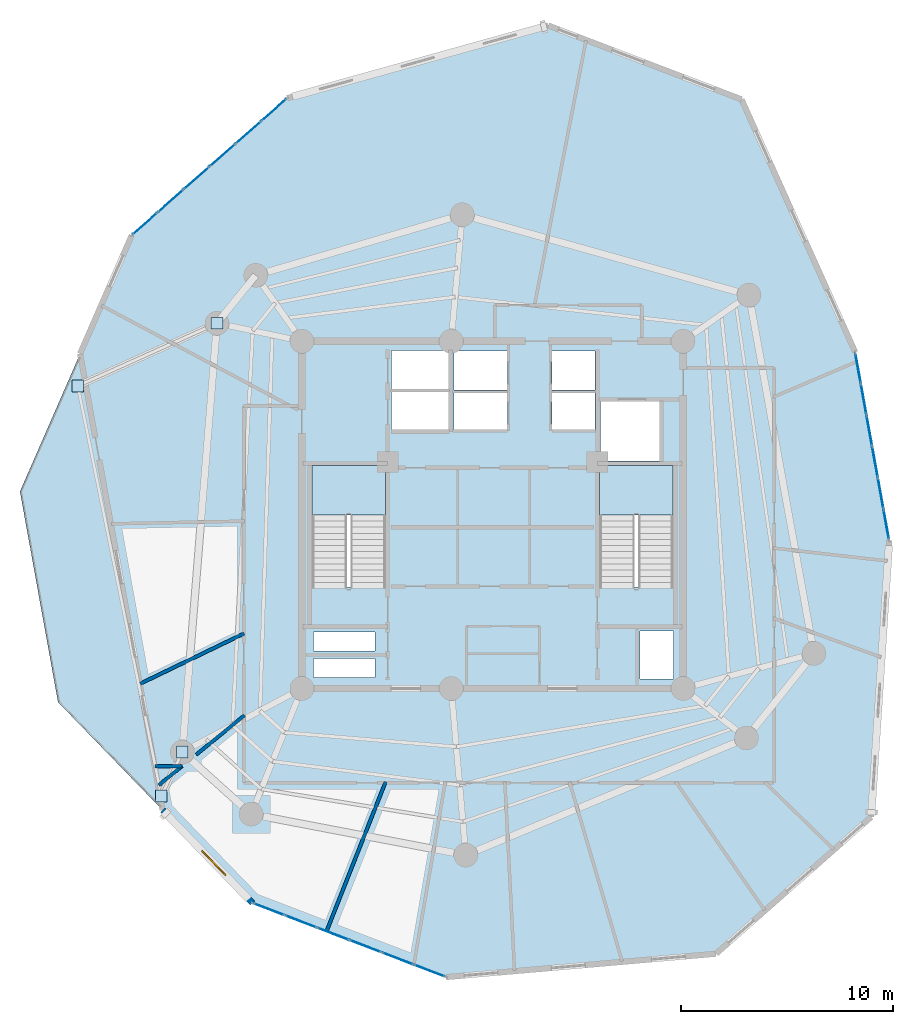
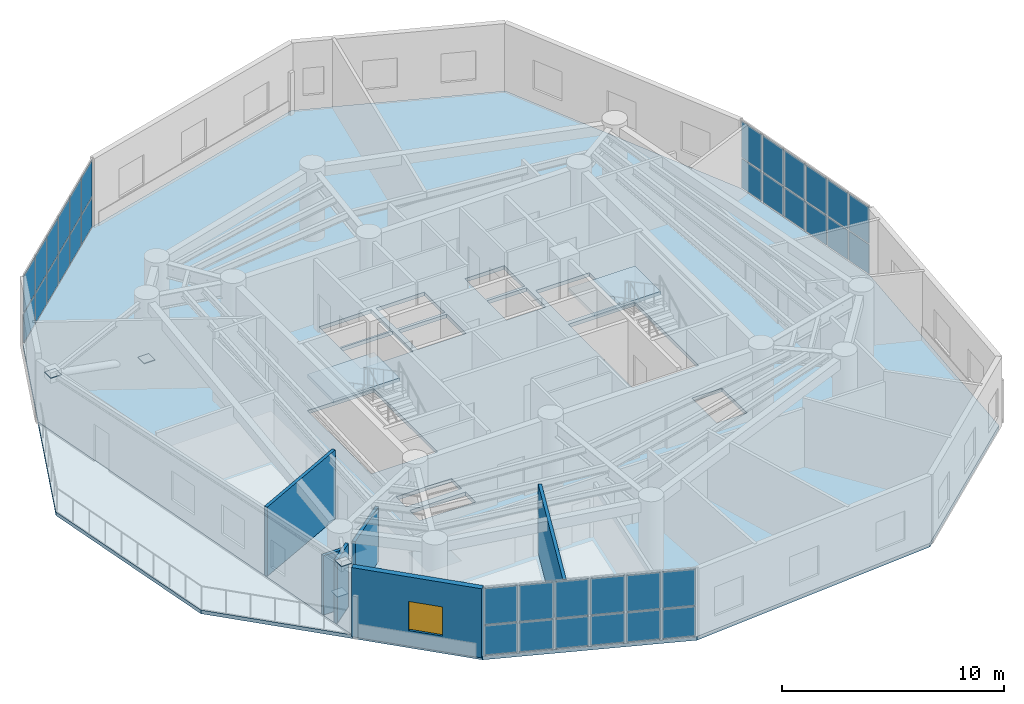
# One storey, part 5 of 12: 40 plates, 6 walls, 4 slabs, 1 window, 1 opening, 5 elements without a shape of their own.
"""IFC4 building model written with IfcOpenShell, lengths in metres."""

from ifc_helpers import new_model, si_unit, direction, frame, frame_2d, origin, origin_with_axes, origin_2d, place, context, subcontext, project, spatial, polyline, rectangle, outline, extrude, source, transform, mapped, material, layer, layer_set, type_object, element, fill, aggregate, save


model = new_model("IFC4")

# Units and contexts
model_context = context("Model", 3, precision=1e-05, world=origin(), true_north=direction((0.0, 1.0)))
body_context = subcontext(model_context, "Body", "Model", "MODEL_VIEW")
ifc_project = project(units=[si_unit("LENGTHUNIT", "METRE"), si_unit("AREAUNIT", "SQUARE_METRE"), si_unit("VOLUMEUNIT", "CUBIC_METRE"), si_unit("PLANEANGLEUNIT", "RADIAN"), si_unit("MASSUNIT", "GRAM", prefix="KILO")], contexts=[model_context])

# Site, building, storey
site_placement = place(None, origin())
site = spatial("IfcSite", under=ifc_project, at=site_placement, CompositionType="ELEMENT")
building_placement = place(site_placement, origin())
building = spatial("IfcBuilding", under=site, at=building_placement, Name="Karkom Vertical University and Central Library", CompositionType="ELEMENT")
storey_placement = place(building_placement, frame((0.0, 0.0, 212.89990234375)))
storey = spatial("IfcBuildingStorey", under=building, at=storey_placement, Name="L62", CompositionType="ELEMENT", Elevation=212.89990234375)

# Stair, slab
ifc_material_1 = material(Name="Concrete C45/55", Category="concrete")
stair_type = type_object("IfcStairType", Name="INT-STR-ST-MAIN", PredefinedType="HALF_TURN_STAIR", material=ifc_material_1)
stair_1_placement = place(storey_placement, origin())
stair_1 = element("IfcStair", 1, at=stair_1_placement, inside=storey, type_object=stair_type, Name="Level 62 Tower Protected Exit Stair ST-1", PredefinedType="HALF_TURN_STAIR")
ifc_layer_1 = layer(ifc_material_1, 0.199951171875)
ifc_layer_set_1 = layer_set([ifc_layer_1], Name="Concrete C45/55")
slab_type_1 = type_object("IfcSlabType", Name="INT-SLB-LANDING", PredefinedType="LANDING", material=ifc_layer_set_1)
slab_1_placement = place(storey_placement, frame((0.0, 0.0, 1.800048828125)))
slab_1 = element("IfcSlab", 2, at=slab_1_placement, type_object=slab_type_1, Name="ST-1 landing 1", PredefinedType="LANDING", context=body_context, shape_type="SweptSolid", body=[
    extrude(outline(polyline([(23.43994140625, 26.5), (23.43994140625, 28.820068359375), (19.97998046875, 28.820068359375), (19.97998046875, 26.5), (23.43994140625, 26.5)])), origin(), (0.0, 0.0, 1.0), 0.199951171875),
])
aggregate(stair_1, [slab_1])

stair_2_placement = place(storey_placement, origin())
stair_2 = element("IfcStair", 3, at=stair_2_placement, inside=storey, type_object=stair_type, Name="Level 62 Tower Protected Exit Stair ST-2", PredefinedType="HALF_TURN_STAIR")
slab_2_placement = place(storey_placement, frame((0.0, 0.0, 1.800048828125)))
slab_2 = element("IfcSlab", 4, at=slab_2_placement, type_object=slab_type_1, Name="ST-2 landing 1", PredefinedType="LANDING", context=body_context, shape_type="SweptSolid", body=[
    extrude(outline(polyline([(37.02001953125, 26.5), (37.02001953125, 28.820068359375), (33.56005859375, 28.820068359375), (33.56005859375, 26.5), (37.02001953125, 26.5)])), origin(), (0.0, 0.0, 1.0), 0.199951171875),
])
aggregate(stair_2, [slab_2])

# Slabs
ifc_material_2 = material(Name="Concrete C40/50", Category="concrete")
ifc_layer_2 = layer(ifc_material_2, 0.199951171875)
ifc_layer_set_2 = layer_set([ifc_layer_2], Name="Concrete C40/50")
slab_type_2 = type_object("IfcSlabType", Name="STR-SLB-FLR-200", PredefinedType="FLOOR", material=ifc_layer_set_2)
slab_3_placement = place(storey_placement, frame((0.0, 0.0, -0.199951171875)))
element("IfcSlab", 5, at=slab_3_placement, inside=storey, type_object=slab_type_2, Name="Level 62 Tower Structural Floor Slab", PredefinedType="FLOOR", context=body_context, shape_type="SweptSolid", body=[
    extrude(outline(polyline([(12.918212890625, 12.557373046875), (17.16455078125, 8.169189453125), (26.305908203125, 4.673583984375), (39.055419921875, 5.775390625), (46.3798828125, 12.234619140625), (47.23388671875, 25.298583984375), (45.62939453125, 34.179931640625), (40.2587890625, 46.11962890625), (31.136962890625, 49.60791015625), (18.807861328125, 46.17919921875), (11.46728515625, 39.7060546875), (9.02490234375, 34.109619140625), (12.918212890625, 12.557373046875)]), holes=[polyline([(19.97998046875, 23.0849609375), (23.43994140625, 23.0849609375), (23.43994140625, 28.820068359375), (19.97998046875, 28.820068359375), (19.97998046875, 23.0849609375)]), polyline([(33.56005859375, 23.0849609375), (37.02001953125, 23.0849609375), (37.02001953125, 28.820068359375), (33.56005859375, 28.820068359375), (33.56005859375, 23.0849609375)]), polyline([(26.679931640625, 30.5), (29.199951171875, 30.5), (29.199951171875, 32.25), (26.679931640625, 32.25), (26.679931640625, 30.5)]), polyline([(26.679931640625, 32.39990234375), (29.199951171875, 32.39990234375), (29.199951171875, 34.25), (26.679931640625, 34.25), (26.679931640625, 32.39990234375)]), polyline([(31.300048828125, 30.5), (33.35009765625, 30.5), (33.35009765625, 32.25), (31.300048828125, 32.25), (31.300048828125, 30.5)]), polyline([(31.300048828125, 32.39990234375), (33.35009765625, 32.39990234375), (33.35009765625, 34.25), (31.300048828125, 34.25), (31.300048828125, 32.39990234375)]), polyline([(23.719970703125, 30.47998046875), (26.429931640625, 30.47998046875), (26.429931640625, 32.320068359375), (23.719970703125, 32.320068359375), (23.719970703125, 30.47998046875)]), polyline([(23.719970703125, 32.419921875), (26.429931640625, 32.419921875), (26.429931640625, 34.260009765625), (23.719970703125, 34.260009765625), (23.719970703125, 32.419921875)]), polyline([(33.60009765625, 29.050048828125), (36.39990234375, 29.050048828125), (36.39990234375, 31.85009765625), (33.60009765625, 31.85009765625), (33.60009765625, 29.050048828125)]), polyline([(20.050048828125, 18.820068359375), (22.949951171875, 18.820068359375), (22.949951171875, 19.719970703125), (20.050048828125, 19.719970703125), (20.050048828125, 18.820068359375)]), polyline([(20.050048828125, 20.06005859375), (22.949951171875, 20.06005859375), (22.949951171875, 20.9599609375), (20.050048828125, 20.9599609375), (20.050048828125, 20.06005859375)]), polyline([(35.4599609375, 18.760009765625), (37.0400390625, 18.760009765625), (37.0400390625, 21.010009765625), (35.4599609375, 21.010009765625), (35.4599609375, 18.760009765625)])]), origin(), (0.0, 0.0, 1.0), 0.199951171875),
])
ifc_layer_3 = layer(ifc_material_1, 0.199951171875)
ifc_layer_set_3 = layer_set([ifc_layer_3], Name="Concrete C45/55")
slab_type_3 = type_object("IfcSlabType", Name="STR-SLB-PLN-260", PredefinedType="USERDEFINED", material=ifc_layer_set_3)
slab_4_placement = place(storey_placement, frame((0.0, 0.0, -0.199951171875)))
element("IfcSlab", 6, at=slab_4_placement, inside=storey, type_object=slab_type_3, Name="Level 62 Spiral Sky Garden Planter Terrace", ObjectType="PLANTER", PredefinedType="USERDEFINED", context=body_context, shape_type="SweptSolid", body=[
    extrude(outline(polyline([(7.98291015625, 17.65771484375), (12.918212890625, 12.557373046875), (9.02490234375, 34.109619140625), (6.18603515625, 27.60498046875), (7.98291015625, 17.65771484375)])), origin(), (0.0, 0.0, 1.0), 0.199951171875),
])

# Plates
ifc_material_3 = material(Name="Steel S355", Category="steel")
ifc_layer_4 = layer(ifc_material_3, 0.028076171875)
ifc_layer_set_4 = layer_set([ifc_layer_4], Name="Steel S355")
plate_type_1 = type_object("IfcPlateType", Name="STR-PLT-GP-2", PredefinedType="USERDEFINED", material=ifc_layer_set_4)
shared_shape_1 = source(origin_with_axes(), body_context, "Body", "SweptSolid", [
    extrude(rectangle(XDim=0.56005859375, YDim=0.56005859375, at=origin_2d()), origin(), (0.0, 0.0, 1.0), 0.028076171875),
])
for number, where, z_axis, x_axis, name in (
    (7, (15.489990234375, 35.552001953125, 0.3359375), (0.0, 0.0, 1.0), (1.0, 0.0, 0.0), "Level 62 Node Gusset Cap Plate L62-SKG-KNEE-1 A"),
    (8, (8.913330078125, 32.591064453125, 3.62109375), (0.0, 0.0, 1.0), (1.0, 0.0, 0.0), "Level 62 Node Gusset Cap Plate L62-SKG-KNEE-1 B"),
    (9, (13.84912109375, 15.294921875, 0.3359375), (0.0, 0.0, 1.0), (1.0, 0.0, 0.0), "Level 62 Node Gusset Cap Plate L62-SKG-KNEE-2 A"),
    (10, (12.859619140625, 13.229248046875, 3.62109375), (0.0, 0.0, 1.0), (1.0, 0.0, 0.0), "Level 62 Node Gusset Cap Plate L62-SKG-KNEE-2 B"),
):
    element("IfcPlate", number, at=place(storey_placement, frame(where, z_axis=z_axis, x_axis=x_axis)), inside=storey, type_object=plate_type_1, Name=name, ObjectType="GUSSET PLATE", PredefinedType="USERDEFINED", context=body_context, shape_type="MappedRepresentation", body=[
        mapped(shared_shape_1, transform((0.0, 0.0, 0.0), scale=1.0)),
    ])

# Curtain wall, plates
ifc_material_4 = material(Name="Aluminium curtain-wall framing and low-E IGU", Category="aluminium")
ifc_layer_5 = layer(ifc_material_4, 0.199951171875)
ifc_layer_set_5 = layer_set([ifc_layer_5], Name="Aluminium curtain-wall framing and low-E IGU")
curtain_wall_type = type_object("IfcCurtainWallType", Name="ENV-CW-5", PredefinedType="USERDEFINED", material=ifc_layer_set_5)
curtain_wall_1_placement = place(storey_placement, origin())
curtain_wall_1 = element("IfcCurtainWall", 11, at=curtain_wall_1_placement, inside=storey, type_object=curtain_wall_type, Name="Level 62 CW-5 Curtain Wall L62-CW5-02", ObjectType="UNITISED GLAZING", PredefinedType="USERDEFINED")
ifc_material_5 = material(Name="Solar-control low-E double glazing 36mm", Category="glass")
ifc_layer_6 = layer(ifc_material_5, 0.035888671875)
ifc_layer_set_6 = layer_set([ifc_layer_6], Name="Solar-control low-E double glazing 36mm")
plate_type_2 = type_object("IfcPlateType", Name="ENV-PLT-GLZ-36", PredefinedType="CURTAIN_PANEL", material=ifc_layer_set_6)
shared_shape_2 = source(origin_with_axes(), body_context, "Body", "SweptSolid", [
    extrude(rectangle(XDim=1.526123046875, YDim=0.035888671875, at=origin_2d()), origin(), (0.0, 0.0, 1.0), 1.60498046875),
])
plate_1_placement = place(storey_placement, frame((17.942626953125, 7.87158203125, 0.070068359375), z_axis=(0.0, 0.0, 1.0), x_axis=(0.934034891621, -0.35718177618, 0.0)))
plate_1 = element("IfcPlate", 12, at=plate_1_placement, type_object=plate_type_2, Name="CW-5 panel 1.1", PredefinedType="CURTAIN_PANEL", context=body_context, shape_type="MappedRepresentation", body=[
    mapped(shared_shape_2, transform((0.0, 0.0, 0.0), scale=1.0)),
])
plate_2_placement = place(storey_placement, frame((25.527587890625, 4.970947265625, 0.070068359375), z_axis=(0.0, 0.0, 1.0), x_axis=(0.934034891621, -0.35718177618, 0.0)))
plate_2 = element("IfcPlate", 13, at=plate_2_placement, type_object=plate_type_2, Name="CW-5 panel 6.1", PredefinedType="CURTAIN_PANEL", context=body_context, shape_type="MappedRepresentation", body=[
    mapped(shared_shape_2, transform((0.0, 0.0, 0.0), scale=1.0)),
])

curtain_wall_2_placement = place(storey_placement, origin())
curtain_wall_2 = element("IfcCurtainWall", 14, at=curtain_wall_2_placement, inside=storey, type_object=curtain_wall_type, Name="Level 62 CW-5 Curtain Wall L62-CW5-10", ObjectType="UNITISED GLAZING", PredefinedType="USERDEFINED")
plate_3_placement = place(storey_placement, frame((18.182861328125, 45.628173828125, 0.070068359375), z_axis=(0.0, 0.0, 1.0), x_axis=(-0.750026575642, -0.661407692601, 0.0)))
plate_3 = element("IfcPlate", 15, at=plate_3_placement, type_object=plate_type_2, Name="CW-5 panel 1.1", PredefinedType="CURTAIN_PANEL", context=body_context, shape_type="MappedRepresentation", body=[
    mapped(shared_shape_2, transform((0.0, 0.0, 0.0), scale=1.0)),
])
plate_4_placement = place(storey_placement, frame((12.09228515625, 40.257080078125, 0.070068359375), z_axis=(0.0, 0.0, 1.0), x_axis=(-0.750026575642, -0.661407692601, 0.0)))
plate_4 = element("IfcPlate", 16, at=plate_4_placement, type_object=plate_type_2, Name="CW-5 panel 6.1", PredefinedType="CURTAIN_PANEL", context=body_context, shape_type="MappedRepresentation", body=[
    mapped(shared_shape_2, transform((0.0, 0.0, 0.0), scale=1.0)),
])

# Plate
shared_shape_3 = source(origin_with_axes(), body_context, "Body", "SweptSolid", [
    extrude(rectangle(XDim=1.526123046875, YDim=0.035888671875, at=origin_2d()), origin(), (0.0, 0.0, 1.0), 1.985107421875),
])
plate_5_placement = place(storey_placement, frame((17.942626953125, 7.87158203125, 1.7451171875), z_axis=(0.0, 0.0, 1.0), x_axis=(0.934034891621, -0.35718177618, 0.0)))
plate_5 = element("IfcPlate", 17, at=plate_5_placement, type_object=plate_type_2, Name="CW-5 panel 1.2", PredefinedType="CURTAIN_PANEL", context=body_context, shape_type="MappedRepresentation", body=[
    mapped(shared_shape_3, transform((0.0, 0.0, 0.0), scale=1.0)),
])

plate_6_placement = place(storey_placement, frame((25.527587890625, 4.970947265625, 1.7451171875), z_axis=(0.0, 0.0, 1.0), x_axis=(0.934034891621, -0.35718177618, 0.0)))
plate_6 = element("IfcPlate", 18, at=plate_6_placement, type_object=plate_type_2, Name="CW-5 panel 6.2", PredefinedType="CURTAIN_PANEL", context=body_context, shape_type="MappedRepresentation", body=[
    mapped(shared_shape_3, transform((0.0, 0.0, 0.0), scale=1.0)),
])

plate_7_placement = place(storey_placement, frame((18.182861328125, 45.628173828125, 1.7451171875), z_axis=(0.0, 0.0, 1.0), x_axis=(-0.750026575642, -0.661407692601, 0.0)))
plate_7 = element("IfcPlate", 19, at=plate_7_placement, type_object=plate_type_2, Name="CW-5 panel 1.2", PredefinedType="CURTAIN_PANEL", context=body_context, shape_type="MappedRepresentation", body=[
    mapped(shared_shape_3, transform((0.0, 0.0, 0.0), scale=1.0)),
])

plate_8_placement = place(storey_placement, frame((12.09228515625, 40.257080078125, 1.7451171875), z_axis=(0.0, 0.0, 1.0), x_axis=(-0.750026575642, -0.661407692601, 0.0)))
plate_8 = element("IfcPlate", 20, at=plate_8_placement, type_object=plate_type_2, Name="CW-5 panel 6.2", PredefinedType="CURTAIN_PANEL", context=body_context, shape_type="MappedRepresentation", body=[
    mapped(shared_shape_3, transform((0.0, 0.0, 0.0), scale=1.0)),
])

shared_shape_4 = source(origin_with_axes(), body_context, "Body", "SweptSolid", [
    extrude(rectangle(XDim=1.56103515625, YDim=0.035888671875, at=origin_2d()), origin(), (0.0, 0.0, 1.0), 1.60498046875),
])
plate_9_placement = place(storey_placement, frame((19.44970703125, 7.295166015625, 0.070068359375), z_axis=(0.0, 0.0, 1.0), x_axis=(0.934034891621, -0.35718177618, 0.0)))
plate_9 = element("IfcPlate", 21, at=plate_9_placement, type_object=plate_type_2, Name="CW-5 panel 2.1", PredefinedType="CURTAIN_PANEL", context=body_context, shape_type="MappedRepresentation", body=[
    mapped(shared_shape_4, transform((0.0, 0.0, 0.0), scale=1.0)),
])

plate_10_placement = place(storey_placement, frame((20.973388671875, 6.712646484375, 0.070068359375), z_axis=(0.0, 0.0, 1.0), x_axis=(0.934034891621, -0.35718177618, 0.0)))
plate_10 = element("IfcPlate", 22, at=plate_10_placement, type_object=plate_type_2, Name="CW-5 panel 3.1", PredefinedType="CURTAIN_PANEL", context=body_context, shape_type="MappedRepresentation", body=[
    mapped(shared_shape_4, transform((0.0, 0.0, 0.0), scale=1.0)),
])

plate_11_placement = place(storey_placement, frame((22.496826171875, 6.130126953125, 0.070068359375), z_axis=(0.0, 0.0, 1.0), x_axis=(0.934034891621, -0.35718177618, 0.0)))
plate_11 = element("IfcPlate", 23, at=plate_11_placement, type_object=plate_type_2, Name="CW-5 panel 4.1", PredefinedType="CURTAIN_PANEL", context=body_context, shape_type="MappedRepresentation", body=[
    mapped(shared_shape_4, transform((0.0, 0.0, 0.0), scale=1.0)),
])

plate_12_placement = place(storey_placement, frame((24.0205078125, 5.54736328125, 0.070068359375), z_axis=(0.0, 0.0, 1.0), x_axis=(0.934034891621, -0.35718177618, 0.0)))
plate_12 = element("IfcPlate", 24, at=plate_12_placement, type_object=plate_type_2, Name="CW-5 panel 5.1", PredefinedType="CURTAIN_PANEL", context=body_context, shape_type="MappedRepresentation", body=[
    mapped(shared_shape_4, transform((0.0, 0.0, 0.0), scale=1.0)),
])

plate_13_placement = place(storey_placement, frame((16.97265625, 44.56103515625, 0.070068359375), z_axis=(0.0, 0.0, 1.0), x_axis=(-0.750026575642, -0.661407692601, 0.0)))
plate_13 = element("IfcPlate", 25, at=plate_13_placement, type_object=plate_type_2, Name="CW-5 panel 2.1", PredefinedType="CURTAIN_PANEL", context=body_context, shape_type="MappedRepresentation", body=[
    mapped(shared_shape_4, transform((0.0, 0.0, 0.0), scale=1.0)),
])

plate_14_placement = place(storey_placement, frame((15.749267578125, 43.482177734375, 0.070068359375), z_axis=(0.0, 0.0, 1.0), x_axis=(-0.750026575642, -0.661407692601, 0.0)))
plate_14 = element("IfcPlate", 26, at=plate_14_placement, type_object=plate_type_2, Name="CW-5 panel 3.1", PredefinedType="CURTAIN_PANEL", context=body_context, shape_type="MappedRepresentation", body=[
    mapped(shared_shape_4, transform((0.0, 0.0, 0.0), scale=1.0)),
])

plate_15_placement = place(storey_placement, frame((14.52587890625, 42.4033203125, 0.070068359375), z_axis=(0.0, 0.0, 1.0), x_axis=(-0.750026575642, -0.661407692601, 0.0)))
plate_15 = element("IfcPlate", 27, at=plate_15_placement, type_object=plate_type_2, Name="CW-5 panel 4.1", PredefinedType="CURTAIN_PANEL", context=body_context, shape_type="MappedRepresentation", body=[
    mapped(shared_shape_4, transform((0.0, 0.0, 0.0), scale=1.0)),
])

plate_16_placement = place(storey_placement, frame((13.302490234375, 41.324462890625, 0.070068359375), z_axis=(0.0, 0.0, 1.0), x_axis=(-0.750026575642, -0.661407692601, 0.0)))
plate_16 = element("IfcPlate", 28, at=plate_16_placement, type_object=plate_type_2, Name="CW-5 panel 5.1", PredefinedType="CURTAIN_PANEL", context=body_context, shape_type="MappedRepresentation", body=[
    mapped(shared_shape_4, transform((0.0, 0.0, 0.0), scale=1.0)),
])

shared_shape_5 = source(origin_with_axes(), body_context, "Body", "SweptSolid", [
    extrude(rectangle(XDim=1.56103515625, YDim=0.035888671875, at=origin_2d()), origin(), (0.0, 0.0, 1.0), 1.985107421875),
])
plate_17_placement = place(storey_placement, frame((19.44970703125, 7.295166015625, 1.7451171875), z_axis=(0.0, 0.0, 1.0), x_axis=(0.934034891621, -0.35718177618, 0.0)))
plate_17 = element("IfcPlate", 29, at=plate_17_placement, type_object=plate_type_2, Name="CW-5 panel 2.2", PredefinedType="CURTAIN_PANEL", context=body_context, shape_type="MappedRepresentation", body=[
    mapped(shared_shape_5, transform((0.0, 0.0, 0.0), scale=1.0)),
])

plate_18_placement = place(storey_placement, frame((20.973388671875, 6.712646484375, 1.7451171875), z_axis=(0.0, 0.0, 1.0), x_axis=(0.934034891621, -0.35718177618, 0.0)))
plate_18 = element("IfcPlate", 30, at=plate_18_placement, type_object=plate_type_2, Name="CW-5 panel 3.2", PredefinedType="CURTAIN_PANEL", context=body_context, shape_type="MappedRepresentation", body=[
    mapped(shared_shape_5, transform((0.0, 0.0, 0.0), scale=1.0)),
])

plate_19_placement = place(storey_placement, frame((22.496826171875, 6.130126953125, 1.7451171875), z_axis=(0.0, 0.0, 1.0), x_axis=(0.934034891621, -0.35718177618, 0.0)))
plate_19 = element("IfcPlate", 31, at=plate_19_placement, type_object=plate_type_2, Name="CW-5 panel 4.2", PredefinedType="CURTAIN_PANEL", context=body_context, shape_type="MappedRepresentation", body=[
    mapped(shared_shape_5, transform((0.0, 0.0, 0.0), scale=1.0)),
])

plate_20_placement = place(storey_placement, frame((24.0205078125, 5.54736328125, 1.7451171875), z_axis=(0.0, 0.0, 1.0), x_axis=(0.934034891621, -0.35718177618, 0.0)))
plate_20 = element("IfcPlate", 32, at=plate_20_placement, type_object=plate_type_2, Name="CW-5 panel 5.2", PredefinedType="CURTAIN_PANEL", context=body_context, shape_type="MappedRepresentation", body=[
    mapped(shared_shape_5, transform((0.0, 0.0, 0.0), scale=1.0)),
])

aggregate(curtain_wall_1, [plate_1, plate_5, plate_9, plate_17, plate_10, plate_18, plate_11, plate_19, plate_12, plate_20, plate_2, plate_6])

plate_21_placement = place(storey_placement, frame((16.97265625, 44.56103515625, 1.7451171875), z_axis=(0.0, 0.0, 1.0), x_axis=(-0.750026575642, -0.661407692601, 0.0)))
plate_21 = element("IfcPlate", 33, at=plate_21_placement, type_object=plate_type_2, Name="CW-5 panel 2.2", PredefinedType="CURTAIN_PANEL", context=body_context, shape_type="MappedRepresentation", body=[
    mapped(shared_shape_5, transform((0.0, 0.0, 0.0), scale=1.0)),
])

plate_22_placement = place(storey_placement, frame((15.749267578125, 43.482177734375, 1.7451171875), z_axis=(0.0, 0.0, 1.0), x_axis=(-0.750026575642, -0.661407692601, 0.0)))
plate_22 = element("IfcPlate", 34, at=plate_22_placement, type_object=plate_type_2, Name="CW-5 panel 3.2", PredefinedType="CURTAIN_PANEL", context=body_context, shape_type="MappedRepresentation", body=[
    mapped(shared_shape_5, transform((0.0, 0.0, 0.0), scale=1.0)),
])

plate_23_placement = place(storey_placement, frame((14.52587890625, 42.4033203125, 1.7451171875), z_axis=(0.0, 0.0, 1.0), x_axis=(-0.750026575642, -0.661407692601, 0.0)))
plate_23 = element("IfcPlate", 35, at=plate_23_placement, type_object=plate_type_2, Name="CW-5 panel 4.2", PredefinedType="CURTAIN_PANEL", context=body_context, shape_type="MappedRepresentation", body=[
    mapped(shared_shape_5, transform((0.0, 0.0, 0.0), scale=1.0)),
])

plate_24_placement = place(storey_placement, frame((13.302490234375, 41.324462890625, 1.7451171875), z_axis=(0.0, 0.0, 1.0), x_axis=(-0.750026575642, -0.661407692601, 0.0)))
plate_24 = element("IfcPlate", 36, at=plate_24_placement, type_object=plate_type_2, Name="CW-5 panel 5.2", PredefinedType="CURTAIN_PANEL", context=body_context, shape_type="MappedRepresentation", body=[
    mapped(shared_shape_5, transform((0.0, 0.0, 0.0), scale=1.0)),
])

aggregate(curtain_wall_2, [plate_3, plate_7, plate_13, plate_21, plate_14, plate_22, plate_15, plate_23, plate_16, plate_24, plate_4, plate_8])

# Curtain wall, plates
curtain_wall_3_placement = place(storey_placement, origin())
curtain_wall_3 = element("IfcCurtainWall", 37, at=curtain_wall_3_placement, inside=storey, type_object=curtain_wall_type, Name="Level 62 CW-5 Curtain Wall L62-CW5-06", ObjectType="UNITISED GLAZING", PredefinedType="USERDEFINED")
shared_shape_6 = source(origin_with_axes(), body_context, "Body", "SweptSolid", [
    extrude(rectangle(XDim=1.399169921875, YDim=0.035888671875, at=origin_2d()), origin(), (0.0, 0.0, 1.0), 1.60498046875),
])
plate_25_placement = place(storey_placement, frame((47.096923828125, 26.055908203125, 0.070068359375), z_axis=(0.0, 0.0, 1.0), x_axis=(-0.177771801137, 0.984071738605, 0.0)))
plate_25 = element("IfcPlate", 38, at=plate_25_placement, type_object=plate_type_2, Name="CW-5 panel 1.1", PredefinedType="CURTAIN_PANEL", context=body_context, shape_type="MappedRepresentation", body=[
    mapped(shared_shape_6, transform((0.0, 0.0, 0.0), scale=1.0)),
])
plate_26_placement = place(storey_placement, frame((45.76611328125, 33.422607421875, 0.070068359375), z_axis=(0.0, 0.0, 1.0), x_axis=(-0.177771801137, 0.984071738605, 0.0)))
plate_26 = element("IfcPlate", 39, at=plate_26_placement, type_object=plate_type_2, Name="CW-5 panel 6.1", PredefinedType="CURTAIN_PANEL", context=body_context, shape_type="MappedRepresentation", body=[
    mapped(shared_shape_6, transform((0.0, 0.0, 0.0), scale=1.0)),
])
shared_shape_7 = source(origin_with_axes(), body_context, "Body", "SweptSolid", [
    extrude(rectangle(XDim=1.399169921875, YDim=0.035888671875, at=origin_2d()), origin(), (0.0, 0.0, 1.0), 1.985107421875),
])
plate_27_placement = place(storey_placement, frame((47.096923828125, 26.055908203125, 1.7451171875), z_axis=(0.0, 0.0, 1.0), x_axis=(-0.177771801137, 0.984071738605, 0.0)))
plate_27 = element("IfcPlate", 40, at=plate_27_placement, type_object=plate_type_2, Name="CW-5 panel 1.2", PredefinedType="CURTAIN_PANEL", context=body_context, shape_type="MappedRepresentation", body=[
    mapped(shared_shape_7, transform((0.0, 0.0, 0.0), scale=1.0)),
])
plate_28_placement = place(storey_placement, frame((45.76611328125, 33.422607421875, 1.7451171875), z_axis=(0.0, 0.0, 1.0), x_axis=(-0.177771801137, 0.984071738605, 0.0)))
plate_28 = element("IfcPlate", 41, at=plate_28_placement, type_object=plate_type_2, Name="CW-5 panel 6.2", PredefinedType="CURTAIN_PANEL", context=body_context, shape_type="MappedRepresentation", body=[
    mapped(shared_shape_7, transform((0.0, 0.0, 0.0), scale=1.0)),
])
shared_shape_8 = source(origin_with_axes(), body_context, "Body", "SweptSolid", [
    extrude(rectangle(XDim=1.43408203125, YDim=0.035888671875, at=origin_2d()), origin(), (0.0, 0.0, 1.0), 1.60498046875),
])
plate_29_placement = place(storey_placement, frame((46.832763671875, 27.51904296875, 0.070068359375), z_axis=(0.0, 0.0, 1.0), x_axis=(-0.177771801137, 0.984071738605, 0.0)))
plate_29 = element("IfcPlate", 42, at=plate_29_placement, type_object=plate_type_2, Name="CW-5 panel 2.1", PredefinedType="CURTAIN_PANEL", context=body_context, shape_type="MappedRepresentation", body=[
    mapped(shared_shape_8, transform((0.0, 0.0, 0.0), scale=1.0)),
])
plate_30_placement = place(storey_placement, frame((46.565185546875, 28.999267578125, 0.070068359375), z_axis=(0.0, 0.0, 1.0), x_axis=(-0.177771801137, 0.984071738605, 0.0)))
plate_30 = element("IfcPlate", 43, at=plate_30_placement, type_object=plate_type_2, Name="CW-5 panel 3.1", PredefinedType="CURTAIN_PANEL", context=body_context, shape_type="MappedRepresentation", body=[
    mapped(shared_shape_8, transform((0.0, 0.0, 0.0), scale=1.0)),
])
plate_31_placement = place(storey_placement, frame((46.2978515625, 30.4794921875, 0.070068359375), z_axis=(0.0, 0.0, 1.0), x_axis=(-0.177771801137, 0.984071738605, 0.0)))
plate_31 = element("IfcPlate", 44, at=plate_31_placement, type_object=plate_type_2, Name="CW-5 panel 4.1", PredefinedType="CURTAIN_PANEL", context=body_context, shape_type="MappedRepresentation", body=[
    mapped(shared_shape_8, transform((0.0, 0.0, 0.0), scale=1.0)),
])
plate_32_placement = place(storey_placement, frame((46.030517578125, 31.959716796875, 0.070068359375), z_axis=(0.0, 0.0, 1.0), x_axis=(-0.177771801137, 0.984071738605, 0.0)))
plate_32 = element("IfcPlate", 45, at=plate_32_placement, type_object=plate_type_2, Name="CW-5 panel 5.1", PredefinedType="CURTAIN_PANEL", context=body_context, shape_type="MappedRepresentation", body=[
    mapped(shared_shape_8, transform((0.0, 0.0, 0.0), scale=1.0)),
])
shared_shape_9 = source(origin_with_axes(), body_context, "Body", "SweptSolid", [
    extrude(rectangle(XDim=1.43408203125, YDim=0.035888671875, at=origin_2d()), origin(), (0.0, 0.0, 1.0), 1.985107421875),
])
plate_33_placement = place(storey_placement, frame((46.832763671875, 27.51904296875, 1.7451171875), z_axis=(0.0, 0.0, 1.0), x_axis=(-0.177771801137, 0.984071738605, 0.0)))
plate_33 = element("IfcPlate", 46, at=plate_33_placement, type_object=plate_type_2, Name="CW-5 panel 2.2", PredefinedType="CURTAIN_PANEL", context=body_context, shape_type="MappedRepresentation", body=[
    mapped(shared_shape_9, transform((0.0, 0.0, 0.0), scale=1.0)),
])
plate_34_placement = place(storey_placement, frame((46.565185546875, 28.999267578125, 1.7451171875), z_axis=(0.0, 0.0, 1.0), x_axis=(-0.177771801137, 0.984071738605, 0.0)))
plate_34 = element("IfcPlate", 47, at=plate_34_placement, type_object=plate_type_2, Name="CW-5 panel 3.2", PredefinedType="CURTAIN_PANEL", context=body_context, shape_type="MappedRepresentation", body=[
    mapped(shared_shape_9, transform((0.0, 0.0, 0.0), scale=1.0)),
])
plate_35_placement = place(storey_placement, frame((46.2978515625, 30.4794921875, 1.7451171875), z_axis=(0.0, 0.0, 1.0), x_axis=(-0.177771801137, 0.984071738605, 0.0)))
plate_35 = element("IfcPlate", 48, at=plate_35_placement, type_object=plate_type_2, Name="CW-5 panel 4.2", PredefinedType="CURTAIN_PANEL", context=body_context, shape_type="MappedRepresentation", body=[
    mapped(shared_shape_9, transform((0.0, 0.0, 0.0), scale=1.0)),
])
plate_36_placement = place(storey_placement, frame((46.030517578125, 31.959716796875, 1.7451171875), z_axis=(0.0, 0.0, 1.0), x_axis=(-0.177771801137, 0.984071738605, 0.0)))
plate_36 = element("IfcPlate", 49, at=plate_36_placement, type_object=plate_type_2, Name="CW-5 panel 5.2", PredefinedType="CURTAIN_PANEL", context=body_context, shape_type="MappedRepresentation", body=[
    mapped(shared_shape_9, transform((0.0, 0.0, 0.0), scale=1.0)),
])
aggregate(curtain_wall_3, [plate_25, plate_27, plate_29, plate_33, plate_30, plate_34, plate_31, plate_35, plate_32, plate_36, plate_26, plate_28])

# Wall, opening, window
ifc_material_6 = material(Name="Brick-faced precast concrete C45/55", Category="masonry")
ifc_layer_7 = layer(ifc_material_6, 0.280029296875)
ifc_layer_set_7 = layer_set([ifc_layer_7], Name="Brick-faced precast concrete C45/55")
wall_type_1 = type_object("IfcWallType", Name="ENV-WL-BRK-280", PredefinedType="SOLIDWALL", material=ifc_layer_set_7)
wall_1_placement = place(storey_placement, frame((12.918212890625, 12.557373046875, 0.0), z_axis=(0.0, 0.0, 1.0), x_axis=(0.695396785148, -0.718625988401, 0.0)))
wall_1 = element("IfcWall", 50, at=wall_1_placement, inside=storey, type_object=wall_type_1, Name="Level 62 Brick-Faced Precast Facade Wall 01", PredefinedType="SOLIDWALL", context=body_context, shape_type="SweptSolid", body=[
    extrude(rectangle(XDim=6.1064453125, YDim=0.280029296875, at=frame_2d((3.05322265625, 0.0))), origin(), (0.0, 0.0, 1.0), 3.800048828125),
])
opening_placement = place(wall_1_placement, frame((2.67626953125, 0.0, 0.85009765625)))
opening = element("IfcOpeningElement", 51, at=opening_placement, cuts=wall_1, Name="Opening WN-10", PredefinedType="OPENING", context=body_context, shape_type="SweptSolid", body=[
    extrude(rectangle(XDim=1.60009765625, YDim=1.60009765625, at=frame_2d((0.800048828125, 0.800048828125))), frame((0.0, 0.14990234375, 0.0), z_axis=(0.0, -1.0, 0.0), x_axis=(1.0, 0.0, 0.0)), (0.0, 0.0, 1.0), 0.300048828125),
])
ifc_material_7 = material(Name="Aluminium thermal-break frame with solar-control IGU", Category="aluminium")
window_type = type_object("IfcWindowType", Name="ENV-WIN-WN-10", PartitioningType="SINGLE_PANEL", PredefinedType="WINDOW", material=ifc_material_7)
shared_shape_10 = source(origin_with_axes(), body_context, "Body", "SweptSolid", [
    extrude(rectangle(XDim=1.60009765625, YDim=1.60009765625, at=frame_2d((0.800048828125, 0.800048828125))), frame((0.0, 0.030029296875, 0.0), z_axis=(0.0, -1.0, 0.0), x_axis=(1.0, 0.0, 0.0)), (0.0, 0.0, 1.0), 0.06005859375),
])
window_placement = place(opening_placement, origin())
window = element("IfcWindow", 52, at=window_placement, inside=storey, type_object=window_type, Name="Level 62 Punched Window 1.1", OverallHeight=1.60009765625, OverallWidth=1.60009765625, PartitioningType="SINGLE_PANEL", PredefinedType="WINDOW", context=body_context, shape_type="MappedRepresentation", body=[
    mapped(shared_shape_10, transform((0.0, 0.0, 0.0), scale=1.0)),
])
fill(opening, window)

# Walls
ifc_material_8 = material(Name="Insulated metal-stud drywall 160mm", Category="gypsum")
ifc_layer_8 = layer(ifc_material_8, 0.159912109375)
ifc_layer_set_8 = layer_set([ifc_layer_8], Name="Insulated metal-stud drywall 160mm")
wall_type_2 = type_object("IfcWallType", Name="INT-WL-COR-160", PredefinedType="PARTITIONING", material=ifc_layer_set_8)
wall_2_placement = place(storey_placement, frame((23.45263671875, 13.891845703125, 0.0), z_axis=(0.0, 0.0, 1.0), x_axis=(-0.367560251881, -0.929999710342, 0.0)))
element("IfcWall", 53, at=wall_2_placement, inside=storey, type_object=wall_type_2, Name="Level 62 Interior Partition Wall L62-PW-006", PredefinedType="PARTITIONING", context=body_context, shape_type="SweptSolid", body=[
    extrude(rectangle(XDim=7.56689453125, YDim=0.159912109375, at=frame_2d((3.783447265625, 0.0))), origin(), (0.0, 0.0, 1.0), 3.800048828125),
])
wall_3_placement = place(storey_placement, frame((16.777099609375, 20.901123046875, 0.0), z_axis=(0.0, 0.0, 1.0), x_axis=(-0.900363570506, -0.435138415801, 0.0)))
element("IfcWall", 54, at=wall_3_placement, inside=storey, type_object=wall_type_2, Name="Level 62 Interior Partition Wall L62-PW-001", PredefinedType="PARTITIONING", context=body_context, shape_type="SweptSolid", body=[
    extrude(rectangle(XDim=5.452880859375, YDim=0.159912109375, at=frame_2d((2.7265625, 0.0))), origin(), (0.0, 0.0, 1.0), 3.800048828125),
])
wall_4_placement = place(storey_placement, frame((16.784912109375, 17.03173828125, 0.0), z_axis=(0.0, 0.0, 1.0), x_axis=(-0.775222919208, -0.631687759526, 0.0)))
element("IfcWall", 55, at=wall_4_placement, inside=storey, type_object=wall_type_2, Name="Level 62 Interior Partition Wall L62-PW-003", PredefinedType="PARTITIONING", context=body_context, shape_type="SweptSolid", body=[
    extrude(rectangle(XDim=2.935791015625, YDim=0.159912109375, at=frame_2d((1.4677734375, 0.0))), origin(), (0.0, 0.0, 1.0), 3.0),
])
wall_5_placement = place(storey_placement, frame((13.843505859375, 14.635009765625, 0.0), z_axis=(0.0, 0.0, 1.0), x_axis=(-0.775185248269, -0.631733987424, 0.0)))
element("IfcWall", 56, at=wall_5_placement, inside=storey, type_object=wall_type_2, Name="Level 62 Interior Partition Wall L62-PW-005", PredefinedType="PARTITIONING", context=body_context, shape_type="SweptSolid", body=[
    extrude(rectangle(XDim=1.424560546875, YDim=0.159912109375, at=frame_2d((0.71240234375, 0.0))), origin(), (0.0, 0.0, 1.0), 3.47021484375),
])
wall_6_placement = place(storey_placement, frame((12.5693359375, 14.635009765625, 0.0), z_axis=(0.0, 0.0, 1.0), x_axis=(1.0, 0.0, 0.0)))
element("IfcWall", 57, at=wall_6_placement, inside=storey, type_object=wall_type_2, Name="Level 62 Interior Partition Wall L62-PW-004", PredefinedType="PARTITIONING", context=body_context, shape_type="SweptSolid", body=[
    extrude(rectangle(XDim=1.274169921875, YDim=0.159912109375, at=frame_2d((0.63720703125, 0.0))), origin(), (0.0, 0.0, 1.0), 3.25),
])

save(model, "model.ifc")
